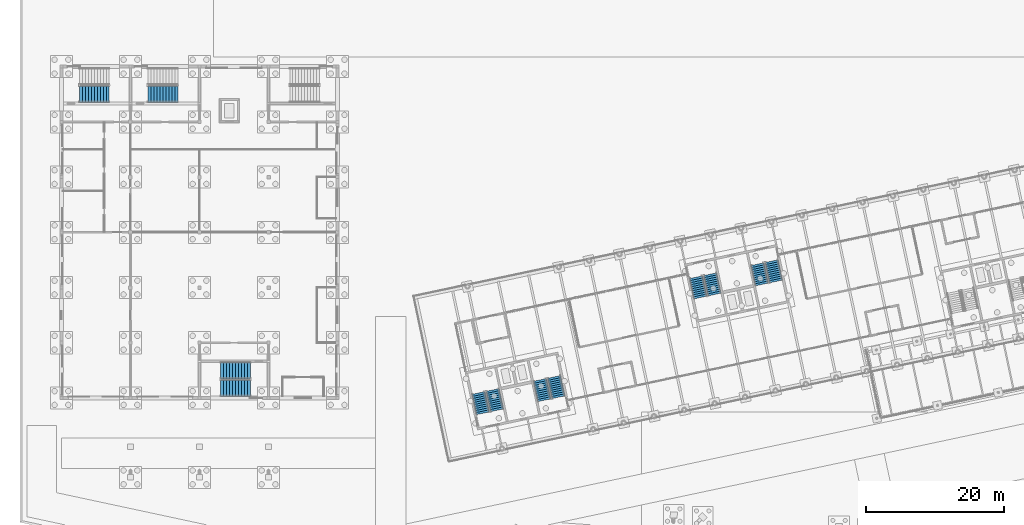
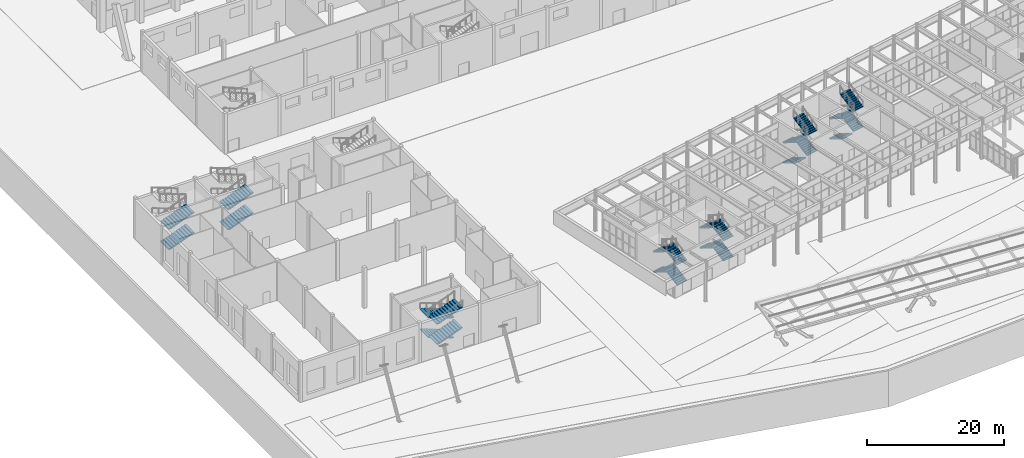
# One storey, part 190 of 239: 24 stair flights, 7 elements without a shape of their own.
"""IFC4 building model written with IfcOpenShell, lengths in metres."""

from ifc_helpers import new_model, si_unit, direction, frame, origin, place, context, subcontext, project, spatial, polyline, outline, extrude, material, type_object, element, aggregate, save


model = new_model("IFC4")

# Units and contexts
model_context = context("Model", 3, precision=1e-05, world=origin(), true_north=direction((0.0, 1.0)))
body_context = subcontext(model_context, "Body", "Model", "MODEL_VIEW")
ifc_project = project(units=[si_unit("LENGTHUNIT", "METRE"), si_unit("AREAUNIT", "SQUARE_METRE"), si_unit("VOLUMEUNIT", "CUBIC_METRE"), si_unit("PLANEANGLEUNIT", "RADIAN"), si_unit("MASSUNIT", "GRAM", prefix="KILO")], contexts=[model_context])

# Site, building, storey
site_placement = place(None, origin())
site = spatial("IfcSite", under=ifc_project, at=site_placement, CompositionType="ELEMENT")
building_placement = place(site_placement, origin())
building = spatial("IfcBuilding", under=site, at=building_placement, Name="Okhra Congress Centre", CompositionType="ELEMENT")
storey_placement = place(building_placement, origin())
storey = spatial("IfcBuildingStorey", under=building, at=storey_placement, Name="L00", CompositionType="ELEMENT", Elevation=0.0)

# Stair, stair flights
ifc_material = material(Name="Concrete C30/37", Category="concrete")
stair_type_1 = type_object("IfcStairType", Name="Escape stair 1900 wide, 44 risers of 163.6", PredefinedType="HALF_TURN_STAIR", material=ifc_material)
stair_1_placement = place(storey_placement, origin())
stair_1 = element("IfcStair", 1, at=stair_1_placement, inside=storey, type_object=stair_type_1, Name="L00 Escape stair 1A", PredefinedType="HALF_TURN_STAIR")
stair_flight_type_1 = type_object("IfcStairFlightType", Name="Stair flight 1900 wide", PredefinedType="STRAIGHT", material=ifc_material)
stair_flight_1_placement = place(storey_placement, frame((69.095458984375, 34.227294921875, 0.0), z_axis=(0.0, 0.0, 1.0), x_axis=(-0.207911690818, 0.978147600734, 0.0)))
stair_flight_1 = element("IfcStairFlight", 2, at=stair_flight_1_placement, type_object=stair_flight_type_1, Name="BS1A flight 1", NumberOfRisers=11, NumberOfTreads=10, PredefinedType="STRAIGHT", RiserHeight=0.163636364, TreadLength=0.3, context=body_context, shape_type="SweptSolid", body=[
    extrude(outline(polyline([(0.0, 0.0), (0.0, 0.16357421875), (0.300048828125, 0.16357421875), (0.300048828125, 0.327392578125), (0.60009765625, 0.327392578125), (0.60009765625, 0.490966796875), (0.89990234375, 0.490966796875), (0.89990234375, 0.654541015625), (1.199951171875, 0.654541015625), (1.199951171875, 0.818115234375), (1.5, 0.818115234375), (1.5, 0.98193359375), (1.800048828125, 0.98193359375), (1.800048828125, 1.1455078125), (2.10009765625, 1.1455078125), (2.10009765625, 1.30908203125), (2.39990234375, 1.30908203125), (2.39990234375, 1.47265625), (2.699951171875, 1.47265625), (2.699951171875, 1.636474609375), (3.0, 1.636474609375), (3.0, 1.800048828125), (3.0, 1.49951171875), (0.250732421875, 0.0), (0.0, 0.0)])), frame((0.0, 0.949951171875, 0.0), z_axis=(0.0, -1.0, 0.0), x_axis=(1.0, 0.0, 0.0)), (0.0, 0.0, 1.0), 1.89990234375),
])
stair_flight_2_placement = place(storey_placement, frame((66.41748046875, 36.72509765625, 1.800048828125), z_axis=(0.0, 0.0, 1.0), x_axis=(0.207911690818, -0.978147600734, 0.0)))
stair_flight_2 = element("IfcStairFlight", 3, at=stair_flight_2_placement, type_object=stair_flight_type_1, Name="BS1A flight 2", NumberOfRisers=11, NumberOfTreads=10, PredefinedType="STRAIGHT", RiserHeight=0.163636364, TreadLength=0.3, context=body_context, shape_type="SweptSolid", body=[
    extrude(outline(polyline([(0.0, 0.0), (0.0, 0.16357421875), (0.300048828125, 0.16357421875), (0.300048828125, 0.327392578125), (0.60009765625, 0.327392578125), (0.60009765625, 0.490966796875), (0.89990234375, 0.490966796875), (0.89990234375, 0.654541015625), (1.199951171875, 0.654541015625), (1.199951171875, 0.818115234375), (1.5, 0.818115234375), (1.5, 0.98193359375), (1.800048828125, 0.98193359375), (1.800048828125, 1.1455078125), (2.10009765625, 1.1455078125), (2.10009765625, 1.30908203125), (2.39990234375, 1.30908203125), (2.39990234375, 1.47265625), (2.699951171875, 1.47265625), (2.699951171875, 1.636474609375), (3.0, 1.636474609375), (3.0, 1.800048828125), (3.0, 1.49951171875), (0.250732421875, 0.0), (0.0, 0.0)])), frame((0.0, 0.949951171875, 0.0), z_axis=(0.0, -1.0, 0.0), x_axis=(1.0, 0.0, 0.0)), (0.0, 0.0, 1.0), 1.89990234375),
])
stair_flight_3_placement = place(storey_placement, frame((69.095458984375, 34.227294921875, 3.60009765625), z_axis=(0.0, 0.0, 1.0), x_axis=(-0.207911690818, 0.978147600734, 0.0)))
stair_flight_3 = element("IfcStairFlight", 4, at=stair_flight_3_placement, type_object=stair_flight_type_1, Name="BS1A flight 3", NumberOfRisers=11, NumberOfTreads=10, PredefinedType="STRAIGHT", RiserHeight=0.163636364, TreadLength=0.3, context=body_context, shape_type="SweptSolid", body=[
    extrude(outline(polyline([(0.0, 0.0), (0.0, 0.16357421875), (0.300048828125, 0.16357421875), (0.300048828125, 0.327392578125), (0.60009765625, 0.327392578125), (0.60009765625, 0.490966796875), (0.89990234375, 0.490966796875), (0.89990234375, 0.654541015625), (1.199951171875, 0.654541015625), (1.199951171875, 0.818115234375), (1.5, 0.818115234375), (1.5, 0.98193359375), (1.800048828125, 0.98193359375), (1.800048828125, 1.1455078125), (2.10009765625, 1.1455078125), (2.10009765625, 1.30908203125), (2.39990234375, 1.30908203125), (2.39990234375, 1.47265625), (2.699951171875, 1.47265625), (2.699951171875, 1.636474609375), (3.0, 1.636474609375), (3.0, 1.800048828125), (3.0, 1.49951171875), (0.250732421875, 0.0), (0.0, 0.0)])), frame((0.0, 0.949951171875, 0.0), z_axis=(0.0, -1.0, 0.0), x_axis=(1.0, 0.0, 0.0)), (0.0, 0.0, 1.0), 1.89990234375),
])
stair_flight_4_placement = place(storey_placement, frame((66.41748046875, 36.72509765625, 5.39990234375), z_axis=(0.0, 0.0, 1.0), x_axis=(0.207911690818, -0.978147600734, 0.0)))
stair_flight_4 = element("IfcStairFlight", 5, at=stair_flight_4_placement, type_object=stair_flight_type_1, Name="BS1A flight 4", NumberOfRisers=11, NumberOfTreads=10, PredefinedType="STRAIGHT", RiserHeight=0.163636364, TreadLength=0.3, context=body_context, shape_type="SweptSolid", body=[
    extrude(outline(polyline([(0.0, 0.0), (0.0, 0.16357421875), (0.300048828125, 0.16357421875), (0.300048828125, 0.327392578125), (0.60009765625, 0.327392578125), (0.60009765625, 0.490966796875), (0.89990234375, 0.490966796875), (0.89990234375, 0.654541015625), (1.199951171875, 0.654541015625), (1.199951171875, 0.818115234375), (1.5, 0.818115234375), (1.5, 0.98193359375), (1.800048828125, 0.98193359375), (1.800048828125, 1.1455078125), (2.10009765625, 1.1455078125), (2.10009765625, 1.30908203125), (2.39990234375, 1.30908203125), (2.39990234375, 1.47265625), (2.699951171875, 1.47265625), (2.699951171875, 1.636474609375), (3.0, 1.636474609375), (3.0, 1.800048828125), (3.0, 1.49951171875), (0.250732421875, 0.0), (0.0, 0.0)])), frame((0.0, 0.949951171875, 0.0), z_axis=(0.0, -1.0, 0.0), x_axis=(1.0, 0.0, 0.0)), (0.0, 0.0, 1.0), 1.89990234375),
])
aggregate(stair_1, [stair_flight_1, stair_flight_2, stair_flight_3, stair_flight_4])

stair_2_placement = place(storey_placement, origin())
stair_2 = element("IfcStair", 6, at=stair_2_placement, inside=storey, type_object=stair_type_1, Name="L00 Escape stair 1B", PredefinedType="HALF_TURN_STAIR")
stair_flight_5_placement = place(storey_placement, frame((77.99658203125, 36.119140625, 0.0), z_axis=(0.0, 0.0, 1.0), x_axis=(-0.207911690818, 0.978147600734, 0.0)))
stair_flight_5 = element("IfcStairFlight", 7, at=stair_flight_5_placement, type_object=stair_flight_type_1, Name="BS1B flight 1", NumberOfRisers=11, NumberOfTreads=10, PredefinedType="STRAIGHT", RiserHeight=0.163636364, TreadLength=0.3, context=body_context, shape_type="SweptSolid", body=[
    extrude(outline(polyline([(0.0, 0.0), (0.0, 0.16357421875), (0.300048828125, 0.16357421875), (0.300048828125, 0.327392578125), (0.60009765625, 0.327392578125), (0.60009765625, 0.490966796875), (0.89990234375, 0.490966796875), (0.89990234375, 0.654541015625), (1.199951171875, 0.654541015625), (1.199951171875, 0.818115234375), (1.5, 0.818115234375), (1.5, 0.98193359375), (1.800048828125, 0.98193359375), (1.800048828125, 1.1455078125), (2.10009765625, 1.1455078125), (2.10009765625, 1.30908203125), (2.39990234375, 1.30908203125), (2.39990234375, 1.47265625), (2.699951171875, 1.47265625), (2.699951171875, 1.636474609375), (3.0, 1.636474609375), (3.0, 1.800048828125), (3.0, 1.49951171875), (0.250732421875, 0.0), (0.0, 0.0)])), frame((0.0, 0.949951171875, 0.0), z_axis=(0.0, -1.0, 0.0), x_axis=(1.0, 0.0, 0.0)), (0.0, 0.0, 1.0), 1.89990234375),
])
stair_flight_6_placement = place(storey_placement, frame((75.318603515625, 38.616943359375, 1.800048828125), z_axis=(0.0, 0.0, 1.0), x_axis=(0.207911690818, -0.978147600734, 0.0)))
stair_flight_6 = element("IfcStairFlight", 8, at=stair_flight_6_placement, type_object=stair_flight_type_1, Name="BS1B flight 2", NumberOfRisers=11, NumberOfTreads=10, PredefinedType="STRAIGHT", RiserHeight=0.163636364, TreadLength=0.3, context=body_context, shape_type="SweptSolid", body=[
    extrude(outline(polyline([(0.0, 0.0), (0.0, 0.16357421875), (0.300048828125, 0.16357421875), (0.300048828125, 0.327392578125), (0.60009765625, 0.327392578125), (0.60009765625, 0.490966796875), (0.89990234375, 0.490966796875), (0.89990234375, 0.654541015625), (1.199951171875, 0.654541015625), (1.199951171875, 0.818115234375), (1.5, 0.818115234375), (1.5, 0.98193359375), (1.800048828125, 0.98193359375), (1.800048828125, 1.1455078125), (2.10009765625, 1.1455078125), (2.10009765625, 1.30908203125), (2.39990234375, 1.30908203125), (2.39990234375, 1.47265625), (2.699951171875, 1.47265625), (2.699951171875, 1.636474609375), (3.0, 1.636474609375), (3.0, 1.800048828125), (3.0, 1.49951171875), (0.250732421875, 0.0), (0.0, 0.0)])), frame((0.0, 0.949951171875, 0.0), z_axis=(0.0, -1.0, 0.0), x_axis=(1.0, 0.0, 0.0)), (0.0, 0.0, 1.0), 1.89990234375),
])
stair_flight_7_placement = place(storey_placement, frame((77.99658203125, 36.119140625, 3.60009765625), z_axis=(0.0, 0.0, 1.0), x_axis=(-0.207911690818, 0.978147600734, 0.0)))
stair_flight_7 = element("IfcStairFlight", 9, at=stair_flight_7_placement, type_object=stair_flight_type_1, Name="BS1B flight 3", NumberOfRisers=11, NumberOfTreads=10, PredefinedType="STRAIGHT", RiserHeight=0.163636364, TreadLength=0.3, context=body_context, shape_type="SweptSolid", body=[
    extrude(outline(polyline([(0.0, 0.0), (0.0, 0.16357421875), (0.300048828125, 0.16357421875), (0.300048828125, 0.327392578125), (0.60009765625, 0.327392578125), (0.60009765625, 0.490966796875), (0.89990234375, 0.490966796875), (0.89990234375, 0.654541015625), (1.199951171875, 0.654541015625), (1.199951171875, 0.818115234375), (1.5, 0.818115234375), (1.5, 0.98193359375), (1.800048828125, 0.98193359375), (1.800048828125, 1.1455078125), (2.10009765625, 1.1455078125), (2.10009765625, 1.30908203125), (2.39990234375, 1.30908203125), (2.39990234375, 1.47265625), (2.699951171875, 1.47265625), (2.699951171875, 1.636474609375), (3.0, 1.636474609375), (3.0, 1.800048828125), (3.0, 1.49951171875), (0.250732421875, 0.0), (0.0, 0.0)])), frame((0.0, 0.949951171875, 0.0), z_axis=(0.0, -1.0, 0.0), x_axis=(1.0, 0.0, 0.0)), (0.0, 0.0, 1.0), 1.89990234375),
])
stair_flight_8_placement = place(storey_placement, frame((75.318603515625, 38.616943359375, 5.39990234375), z_axis=(0.0, 0.0, 1.0), x_axis=(0.207911690818, -0.978147600734, 0.0)))
stair_flight_8 = element("IfcStairFlight", 10, at=stair_flight_8_placement, type_object=stair_flight_type_1, Name="BS1B flight 4", NumberOfRisers=11, NumberOfTreads=10, PredefinedType="STRAIGHT", RiserHeight=0.163636364, TreadLength=0.3, context=body_context, shape_type="SweptSolid", body=[
    extrude(outline(polyline([(0.0, 0.0), (0.0, 0.16357421875), (0.300048828125, 0.16357421875), (0.300048828125, 0.327392578125), (0.60009765625, 0.327392578125), (0.60009765625, 0.490966796875), (0.89990234375, 0.490966796875), (0.89990234375, 0.654541015625), (1.199951171875, 0.654541015625), (1.199951171875, 0.818115234375), (1.5, 0.818115234375), (1.5, 0.98193359375), (1.800048828125, 0.98193359375), (1.800048828125, 1.1455078125), (2.10009765625, 1.1455078125), (2.10009765625, 1.30908203125), (2.39990234375, 1.30908203125), (2.39990234375, 1.47265625), (2.699951171875, 1.47265625), (2.699951171875, 1.636474609375), (3.0, 1.636474609375), (3.0, 1.800048828125), (3.0, 1.49951171875), (0.250732421875, 0.0), (0.0, 0.0)])), frame((0.0, 0.949951171875, 0.0), z_axis=(0.0, -1.0, 0.0), x_axis=(1.0, 0.0, 0.0)), (0.0, 0.0, 1.0), 1.89990234375),
])
aggregate(stair_2, [stair_flight_5, stair_flight_6, stair_flight_7, stair_flight_8])

stair_3_placement = place(storey_placement, origin())
stair_3 = element("IfcStair", 11, at=stair_3_placement, inside=storey, type_object=stair_type_1, Name="L00 Escape stair 2A", PredefinedType="HALF_TURN_STAIR")
stair_flight_9_placement = place(storey_placement, frame((97.920166015625, 53.4912109375, 0.0), z_axis=(0.0, 0.0, 1.0), x_axis=(0.207911690818, -0.978147600734, 0.0)))
stair_flight_9 = element("IfcStairFlight", 12, at=stair_flight_9_placement, type_object=stair_flight_type_1, Name="BS2A flight 1", NumberOfRisers=11, NumberOfTreads=10, PredefinedType="STRAIGHT", RiserHeight=0.163636364, TreadLength=0.3, context=body_context, shape_type="SweptSolid", body=[
    extrude(outline(polyline([(0.0, 0.0), (0.0, 0.16357421875), (0.300048828125, 0.16357421875), (0.300048828125, 0.327392578125), (0.60009765625, 0.327392578125), (0.60009765625, 0.490966796875), (0.89990234375, 0.490966796875), (0.89990234375, 0.654541015625), (1.199951171875, 0.654541015625), (1.199951171875, 0.818115234375), (1.5, 0.818115234375), (1.5, 0.98193359375), (1.800048828125, 0.98193359375), (1.800048828125, 1.1455078125), (2.10009765625, 1.1455078125), (2.10009765625, 1.30908203125), (2.39990234375, 1.30908203125), (2.39990234375, 1.47265625), (2.699951171875, 1.47265625), (2.699951171875, 1.636474609375), (3.0, 1.636474609375), (3.0, 1.800048828125), (3.0, 1.49951171875), (0.250732421875, 0.0), (0.0, 0.0)])), frame((0.0, 0.949951171875, 0.0), z_axis=(0.0, -1.0, 0.0), x_axis=(1.0, 0.0, 0.0)), (0.0, 0.0, 1.0), 1.89990234375),
])
stair_flight_10_placement = place(storey_placement, frame((100.597900390625, 50.993408203125, 1.800048828125), z_axis=(0.0, 0.0, 1.0), x_axis=(-0.207911690818, 0.978147600734, 0.0)))
stair_flight_10 = element("IfcStairFlight", 13, at=stair_flight_10_placement, type_object=stair_flight_type_1, Name="BS2A flight 2", NumberOfRisers=11, NumberOfTreads=10, PredefinedType="STRAIGHT", RiserHeight=0.163636364, TreadLength=0.3, context=body_context, shape_type="SweptSolid", body=[
    extrude(outline(polyline([(0.0, 0.0), (0.0, 0.16357421875), (0.300048828125, 0.16357421875), (0.300048828125, 0.327392578125), (0.60009765625, 0.327392578125), (0.60009765625, 0.490966796875), (0.89990234375, 0.490966796875), (0.89990234375, 0.654541015625), (1.199951171875, 0.654541015625), (1.199951171875, 0.818115234375), (1.5, 0.818115234375), (1.5, 0.98193359375), (1.800048828125, 0.98193359375), (1.800048828125, 1.1455078125), (2.10009765625, 1.1455078125), (2.10009765625, 1.30908203125), (2.39990234375, 1.30908203125), (2.39990234375, 1.47265625), (2.699951171875, 1.47265625), (2.699951171875, 1.636474609375), (3.0, 1.636474609375), (3.0, 1.800048828125), (3.0, 1.49951171875), (0.250732421875, 0.0), (0.0, 0.0)])), frame((0.0, 0.949951171875, 0.0), z_axis=(0.0, -1.0, 0.0), x_axis=(1.0, 0.0, 0.0)), (0.0, 0.0, 1.0), 1.89990234375),
])
stair_flight_11_placement = place(storey_placement, frame((97.920166015625, 53.4912109375, 3.60009765625), z_axis=(0.0, 0.0, 1.0), x_axis=(0.207911690818, -0.978147600734, 0.0)))
stair_flight_11 = element("IfcStairFlight", 14, at=stair_flight_11_placement, type_object=stair_flight_type_1, Name="BS2A flight 3", NumberOfRisers=11, NumberOfTreads=10, PredefinedType="STRAIGHT", RiserHeight=0.163636364, TreadLength=0.3, context=body_context, shape_type="SweptSolid", body=[
    extrude(outline(polyline([(0.0, 0.0), (0.0, 0.16357421875), (0.300048828125, 0.16357421875), (0.300048828125, 0.327392578125), (0.60009765625, 0.327392578125), (0.60009765625, 0.490966796875), (0.89990234375, 0.490966796875), (0.89990234375, 0.654541015625), (1.199951171875, 0.654541015625), (1.199951171875, 0.818115234375), (1.5, 0.818115234375), (1.5, 0.98193359375), (1.800048828125, 0.98193359375), (1.800048828125, 1.1455078125), (2.10009765625, 1.1455078125), (2.10009765625, 1.30908203125), (2.39990234375, 1.30908203125), (2.39990234375, 1.47265625), (2.699951171875, 1.47265625), (2.699951171875, 1.636474609375), (3.0, 1.636474609375), (3.0, 1.800048828125), (3.0, 1.49951171875), (0.250732421875, 0.0), (0.0, 0.0)])), frame((0.0, 0.949951171875, 0.0), z_axis=(0.0, -1.0, 0.0), x_axis=(1.0, 0.0, 0.0)), (0.0, 0.0, 1.0), 1.89990234375),
])
stair_flight_12_placement = place(storey_placement, frame((100.597900390625, 50.993408203125, 5.39990234375), z_axis=(0.0, 0.0, 1.0), x_axis=(-0.207911690818, 0.978147600734, 0.0)))
stair_flight_12 = element("IfcStairFlight", 15, at=stair_flight_12_placement, type_object=stair_flight_type_1, Name="BS2A flight 4", NumberOfRisers=11, NumberOfTreads=10, PredefinedType="STRAIGHT", RiserHeight=0.163636364, TreadLength=0.3, context=body_context, shape_type="SweptSolid", body=[
    extrude(outline(polyline([(0.0, 0.0), (0.0, 0.16357421875), (0.300048828125, 0.16357421875), (0.300048828125, 0.327392578125), (0.60009765625, 0.327392578125), (0.60009765625, 0.490966796875), (0.89990234375, 0.490966796875), (0.89990234375, 0.654541015625), (1.199951171875, 0.654541015625), (1.199951171875, 0.818115234375), (1.5, 0.818115234375), (1.5, 0.98193359375), (1.800048828125, 0.98193359375), (1.800048828125, 1.1455078125), (2.10009765625, 1.1455078125), (2.10009765625, 1.30908203125), (2.39990234375, 1.30908203125), (2.39990234375, 1.47265625), (2.699951171875, 1.47265625), (2.699951171875, 1.636474609375), (3.0, 1.636474609375), (3.0, 1.800048828125), (3.0, 1.49951171875), (0.250732421875, 0.0), (0.0, 0.0)])), frame((0.0, 0.949951171875, 0.0), z_axis=(0.0, -1.0, 0.0), x_axis=(1.0, 0.0, 0.0)), (0.0, 0.0, 1.0), 1.89990234375),
])
aggregate(stair_3, [stair_flight_9, stair_flight_10, stair_flight_11, stair_flight_12])

stair_4_placement = place(storey_placement, origin())
stair_4 = element("IfcStair", 16, at=stair_4_placement, inside=storey, type_object=stair_type_1, Name="L00 Escape stair 2B", PredefinedType="HALF_TURN_STAIR")
stair_flight_13_placement = place(storey_placement, frame((106.8212890625, 55.383056640625, 0.0), z_axis=(0.0, 0.0, 1.0), x_axis=(0.207911690818, -0.978147600734, 0.0)))
stair_flight_13 = element("IfcStairFlight", 17, at=stair_flight_13_placement, type_object=stair_flight_type_1, Name="BS2B flight 1", NumberOfRisers=11, NumberOfTreads=10, PredefinedType="STRAIGHT", RiserHeight=0.163636364, TreadLength=0.3, context=body_context, shape_type="SweptSolid", body=[
    extrude(outline(polyline([(0.0, 0.0), (0.0, 0.16357421875), (0.300048828125, 0.16357421875), (0.300048828125, 0.327392578125), (0.60009765625, 0.327392578125), (0.60009765625, 0.490966796875), (0.89990234375, 0.490966796875), (0.89990234375, 0.654541015625), (1.199951171875, 0.654541015625), (1.199951171875, 0.818115234375), (1.5, 0.818115234375), (1.5, 0.98193359375), (1.800048828125, 0.98193359375), (1.800048828125, 1.1455078125), (2.10009765625, 1.1455078125), (2.10009765625, 1.30908203125), (2.39990234375, 1.30908203125), (2.39990234375, 1.47265625), (2.699951171875, 1.47265625), (2.699951171875, 1.636474609375), (3.0, 1.636474609375), (3.0, 1.800048828125), (3.0, 1.49951171875), (0.250732421875, 0.0), (0.0, 0.0)])), frame((0.0, 0.949951171875, 0.0), z_axis=(0.0, -1.0, 0.0), x_axis=(1.0, 0.0, 0.0)), (0.0, 0.0, 1.0), 1.89990234375),
])
stair_flight_14_placement = place(storey_placement, frame((109.4990234375, 52.88525390625, 1.800048828125), z_axis=(0.0, 0.0, 1.0), x_axis=(-0.207911690818, 0.978147600734, 0.0)))
stair_flight_14 = element("IfcStairFlight", 18, at=stair_flight_14_placement, type_object=stair_flight_type_1, Name="BS2B flight 2", NumberOfRisers=11, NumberOfTreads=10, PredefinedType="STRAIGHT", RiserHeight=0.163636364, TreadLength=0.3, context=body_context, shape_type="SweptSolid", body=[
    extrude(outline(polyline([(0.0, 0.0), (0.0, 0.16357421875), (0.300048828125, 0.16357421875), (0.300048828125, 0.327392578125), (0.60009765625, 0.327392578125), (0.60009765625, 0.490966796875), (0.89990234375, 0.490966796875), (0.89990234375, 0.654541015625), (1.199951171875, 0.654541015625), (1.199951171875, 0.818115234375), (1.5, 0.818115234375), (1.5, 0.98193359375), (1.800048828125, 0.98193359375), (1.800048828125, 1.1455078125), (2.10009765625, 1.1455078125), (2.10009765625, 1.30908203125), (2.39990234375, 1.30908203125), (2.39990234375, 1.47265625), (2.699951171875, 1.47265625), (2.699951171875, 1.636474609375), (3.0, 1.636474609375), (3.0, 1.800048828125), (3.0, 1.49951171875), (0.250732421875, 0.0), (0.0, 0.0)])), frame((0.0, 0.949951171875, 0.0), z_axis=(0.0, -1.0, 0.0), x_axis=(1.0, 0.0, 0.0)), (0.0, 0.0, 1.0), 1.89990234375),
])
stair_flight_15_placement = place(storey_placement, frame((106.8212890625, 55.383056640625, 3.60009765625), z_axis=(0.0, 0.0, 1.0), x_axis=(0.207911690818, -0.978147600734, 0.0)))
stair_flight_15 = element("IfcStairFlight", 19, at=stair_flight_15_placement, type_object=stair_flight_type_1, Name="BS2B flight 3", NumberOfRisers=11, NumberOfTreads=10, PredefinedType="STRAIGHT", RiserHeight=0.163636364, TreadLength=0.3, context=body_context, shape_type="SweptSolid", body=[
    extrude(outline(polyline([(0.0, 0.0), (0.0, 0.16357421875), (0.300048828125, 0.16357421875), (0.300048828125, 0.327392578125), (0.60009765625, 0.327392578125), (0.60009765625, 0.490966796875), (0.89990234375, 0.490966796875), (0.89990234375, 0.654541015625), (1.199951171875, 0.654541015625), (1.199951171875, 0.818115234375), (1.5, 0.818115234375), (1.5, 0.98193359375), (1.800048828125, 0.98193359375), (1.800048828125, 1.1455078125), (2.10009765625, 1.1455078125), (2.10009765625, 1.30908203125), (2.39990234375, 1.30908203125), (2.39990234375, 1.47265625), (2.699951171875, 1.47265625), (2.699951171875, 1.636474609375), (3.0, 1.636474609375), (3.0, 1.800048828125), (3.0, 1.49951171875), (0.250732421875, 0.0), (0.0, 0.0)])), frame((0.0, 0.949951171875, 0.0), z_axis=(0.0, -1.0, 0.0), x_axis=(1.0, 0.0, 0.0)), (0.0, 0.0, 1.0), 1.89990234375),
])
stair_flight_16_placement = place(storey_placement, frame((109.4990234375, 52.88525390625, 5.39990234375), z_axis=(0.0, 0.0, 1.0), x_axis=(-0.207911690818, 0.978147600734, 0.0)))
stair_flight_16 = element("IfcStairFlight", 20, at=stair_flight_16_placement, type_object=stair_flight_type_1, Name="BS2B flight 4", NumberOfRisers=11, NumberOfTreads=10, PredefinedType="STRAIGHT", RiserHeight=0.163636364, TreadLength=0.3, context=body_context, shape_type="SweptSolid", body=[
    extrude(outline(polyline([(0.0, 0.0), (0.0, 0.16357421875), (0.300048828125, 0.16357421875), (0.300048828125, 0.327392578125), (0.60009765625, 0.327392578125), (0.60009765625, 0.490966796875), (0.89990234375, 0.490966796875), (0.89990234375, 0.654541015625), (1.199951171875, 0.654541015625), (1.199951171875, 0.818115234375), (1.5, 0.818115234375), (1.5, 0.98193359375), (1.800048828125, 0.98193359375), (1.800048828125, 1.1455078125), (2.10009765625, 1.1455078125), (2.10009765625, 1.30908203125), (2.39990234375, 1.30908203125), (2.39990234375, 1.47265625), (2.699951171875, 1.47265625), (2.699951171875, 1.636474609375), (3.0, 1.636474609375), (3.0, 1.800048828125), (3.0, 1.49951171875), (0.250732421875, 0.0), (0.0, 0.0)])), frame((0.0, 0.949951171875, 0.0), z_axis=(0.0, -1.0, 0.0), x_axis=(1.0, 0.0, 0.0)), (0.0, 0.0, 1.0), 1.89990234375),
])
aggregate(stair_4, [stair_flight_13, stair_flight_14, stair_flight_15, stair_flight_16])

stair_type_2 = type_object("IfcStairType", Name="Escape stair 2400 wide, 44 risers of 163.6", PredefinedType="HALF_TURN_STAIR", material=ifc_material)
stair_5_placement = place(storey_placement, origin())
stair_5 = element("IfcStair", 21, at=stair_5_placement, inside=storey, type_object=stair_type_2, Name="L00 Stair R1", PredefinedType="HALF_TURN_STAIR")
stair_flight_type_2 = type_object("IfcStairFlightType", Name="Stair flight 2400 wide", PredefinedType="STRAIGHT", material=ifc_material)
stair_flight_17_placement = place(storey_placement, frame((8.625, 80.02490234375, 0.0), z_axis=(0.0, 0.0, 1.0), x_axis=(1.0, 0.0, 0.0)))
stair_flight_17 = element("IfcStairFlight", 22, at=stair_flight_17_placement, type_object=stair_flight_type_2, Name="R1 flight 1", NumberOfRisers=11, NumberOfTreads=10, PredefinedType="STRAIGHT", RiserHeight=0.163636364, TreadLength=0.43, context=body_context, shape_type="SweptSolid", body=[
    extrude(outline(polyline([(0.0, 0.0), (0.0, 0.16357421875), (0.429931640625, 0.16357421875), (0.429931640625, 0.327392578125), (0.860107421875, 0.327392578125), (0.860107421875, 0.490966796875), (1.2900390625, 0.490966796875), (1.2900390625, 0.654541015625), (1.719970703125, 0.654541015625), (1.719970703125, 0.818115234375), (2.14990234375, 0.818115234375), (2.14990234375, 0.98193359375), (2.580078125, 0.98193359375), (2.580078125, 1.1455078125), (3.010009765625, 1.1455078125), (3.010009765625, 1.30908203125), (3.43994140625, 1.30908203125), (3.43994140625, 1.47265625), (3.8701171875, 1.47265625), (3.8701171875, 1.636474609375), (4.300048828125, 1.636474609375), (4.300048828125, 1.800048828125), (4.300048828125, 1.47607421875), (0.42138671875, 0.0), (0.0, 0.0)])), frame((0.0, 1.199951171875, 0.0), z_axis=(0.0, -1.0, 0.0), x_axis=(1.0, 0.0, 0.0)), (0.0, 0.0, 1.0), 2.39990234375),
])
stair_flight_18_placement = place(storey_placement, frame((8.625, 80.02490234375, 3.60009765625), z_axis=(0.0, 0.0, 1.0), x_axis=(1.0, 0.0, 0.0)))
stair_flight_18 = element("IfcStairFlight", 23, at=stair_flight_18_placement, type_object=stair_flight_type_2, Name="R1 flight 3", NumberOfRisers=11, NumberOfTreads=10, PredefinedType="STRAIGHT", RiserHeight=0.163636364, TreadLength=0.43, context=body_context, shape_type="SweptSolid", body=[
    extrude(outline(polyline([(0.0, 0.0), (0.0, 0.16357421875), (0.429931640625, 0.16357421875), (0.429931640625, 0.327392578125), (0.860107421875, 0.327392578125), (0.860107421875, 0.490966796875), (1.2900390625, 0.490966796875), (1.2900390625, 0.654541015625), (1.719970703125, 0.654541015625), (1.719970703125, 0.818115234375), (2.14990234375, 0.818115234375), (2.14990234375, 0.98193359375), (2.580078125, 0.98193359375), (2.580078125, 1.1455078125), (3.010009765625, 1.1455078125), (3.010009765625, 1.30908203125), (3.43994140625, 1.30908203125), (3.43994140625, 1.47265625), (3.8701171875, 1.47265625), (3.8701171875, 1.636474609375), (4.300048828125, 1.636474609375), (4.300048828125, 1.800048828125), (4.300048828125, 1.47607421875), (0.42138671875, 0.0), (0.0, 0.0)])), frame((0.0, 1.199951171875, 0.0), z_axis=(0.0, -1.0, 0.0), x_axis=(1.0, 0.0, 0.0)), (0.0, 0.0, 1.0), 2.39990234375),
])
aggregate(stair_5, [stair_flight_17, stair_flight_18])

stair_6_placement = place(storey_placement, origin())
stair_6 = element("IfcStair", 24, at=stair_6_placement, inside=storey, type_object=stair_type_2, Name="L00 Stair R3", PredefinedType="HALF_TURN_STAIR")
stair_flight_19_placement = place(storey_placement, frame((18.550048828125, 80.02490234375, 0.0), z_axis=(0.0, 0.0, 1.0), x_axis=(1.0, 0.0, 0.0)))
stair_flight_19 = element("IfcStairFlight", 25, at=stair_flight_19_placement, type_object=stair_flight_type_2, Name="R3 flight 1", NumberOfRisers=11, NumberOfTreads=10, PredefinedType="STRAIGHT", RiserHeight=0.163636364, TreadLength=0.43, context=body_context, shape_type="SweptSolid", body=[
    extrude(outline(polyline([(0.0, 0.0), (0.0, 0.16357421875), (0.429931640625, 0.16357421875), (0.429931640625, 0.327392578125), (0.860107421875, 0.327392578125), (0.860107421875, 0.490966796875), (1.2900390625, 0.490966796875), (1.2900390625, 0.654541015625), (1.719970703125, 0.654541015625), (1.719970703125, 0.818115234375), (2.14990234375, 0.818115234375), (2.14990234375, 0.98193359375), (2.580078125, 0.98193359375), (2.580078125, 1.1455078125), (3.010009765625, 1.1455078125), (3.010009765625, 1.30908203125), (3.43994140625, 1.30908203125), (3.43994140625, 1.47265625), (3.8701171875, 1.47265625), (3.8701171875, 1.636474609375), (4.300048828125, 1.636474609375), (4.300048828125, 1.800048828125), (4.300048828125, 1.47607421875), (0.42138671875, 0.0), (0.0, 0.0)])), frame((0.0, 1.199951171875, 0.0), z_axis=(0.0, -1.0, 0.0), x_axis=(1.0, 0.0, 0.0)), (0.0, 0.0, 1.0), 2.39990234375),
])
stair_flight_20_placement = place(storey_placement, frame((18.550048828125, 80.02490234375, 3.60009765625), z_axis=(0.0, 0.0, 1.0), x_axis=(1.0, 0.0, 0.0)))
stair_flight_20 = element("IfcStairFlight", 26, at=stair_flight_20_placement, type_object=stair_flight_type_2, Name="R3 flight 3", NumberOfRisers=11, NumberOfTreads=10, PredefinedType="STRAIGHT", RiserHeight=0.163636364, TreadLength=0.43, context=body_context, shape_type="SweptSolid", body=[
    extrude(outline(polyline([(0.0, 0.0), (0.0, 0.16357421875), (0.429931640625, 0.16357421875), (0.429931640625, 0.327392578125), (0.860107421875, 0.327392578125), (0.860107421875, 0.490966796875), (1.2900390625, 0.490966796875), (1.2900390625, 0.654541015625), (1.719970703125, 0.654541015625), (1.719970703125, 0.818115234375), (2.14990234375, 0.818115234375), (2.14990234375, 0.98193359375), (2.580078125, 0.98193359375), (2.580078125, 1.1455078125), (3.010009765625, 1.1455078125), (3.010009765625, 1.30908203125), (3.43994140625, 1.30908203125), (3.43994140625, 1.47265625), (3.8701171875, 1.47265625), (3.8701171875, 1.636474609375), (4.300048828125, 1.636474609375), (4.300048828125, 1.800048828125), (4.300048828125, 1.47607421875), (0.42138671875, 0.0), (0.0, 0.0)])), frame((0.0, 1.199951171875, 0.0), z_axis=(0.0, -1.0, 0.0), x_axis=(1.0, 0.0, 0.0)), (0.0, 0.0, 1.0), 2.39990234375),
])
aggregate(stair_6, [stair_flight_19, stair_flight_20])

stair_7_placement = place(storey_placement, origin())
stair_7 = element("IfcStair", 27, at=stair_7_placement, inside=storey, type_object=stair_type_2, Name="L00 Stair R4", PredefinedType="HALF_TURN_STAIR")
stair_flight_21_placement = place(storey_placement, frame((33.375, 39.97509765625, 0.0), z_axis=(0.0, 0.0, 1.0), x_axis=(-1.0, 0.0, 0.0)))
stair_flight_21 = element("IfcStairFlight", 28, at=stair_flight_21_placement, type_object=stair_flight_type_2, Name="R4 flight 1", NumberOfRisers=11, NumberOfTreads=10, PredefinedType="STRAIGHT", RiserHeight=0.163636364, TreadLength=0.43, context=body_context, shape_type="SweptSolid", body=[
    extrude(outline(polyline([(0.0, 0.0), (0.0, 0.16357421875), (0.429931640625, 0.16357421875), (0.429931640625, 0.327392578125), (0.860107421875, 0.327392578125), (0.860107421875, 0.490966796875), (1.2900390625, 0.490966796875), (1.2900390625, 0.654541015625), (1.719970703125, 0.654541015625), (1.719970703125, 0.818115234375), (2.14990234375, 0.818115234375), (2.14990234375, 0.98193359375), (2.580078125, 0.98193359375), (2.580078125, 1.1455078125), (3.010009765625, 1.1455078125), (3.010009765625, 1.30908203125), (3.43994140625, 1.30908203125), (3.43994140625, 1.47265625), (3.8701171875, 1.47265625), (3.8701171875, 1.636474609375), (4.300048828125, 1.636474609375), (4.300048828125, 1.800048828125), (4.300048828125, 1.47607421875), (0.42138671875, 0.0), (0.0, 0.0)])), frame((0.0, 1.199951171875, 0.0), z_axis=(0.0, -1.0, 0.0), x_axis=(1.0, 0.0, 0.0)), (0.0, 0.0, 1.0), 2.39990234375),
])
stair_flight_22_placement = place(storey_placement, frame((29.074951171875, 37.425048828125, 1.800048828125), z_axis=(0.0, 0.0, 1.0), x_axis=(1.0, 0.0, 0.0)))
stair_flight_22 = element("IfcStairFlight", 29, at=stair_flight_22_placement, type_object=stair_flight_type_2, Name="R4 flight 2", NumberOfRisers=11, NumberOfTreads=10, PredefinedType="STRAIGHT", RiserHeight=0.163636364, TreadLength=0.43, context=body_context, shape_type="SweptSolid", body=[
    extrude(outline(polyline([(0.0, 0.0), (0.0, 0.16357421875), (0.429931640625, 0.16357421875), (0.429931640625, 0.327392578125), (0.860107421875, 0.327392578125), (0.860107421875, 0.490966796875), (1.2900390625, 0.490966796875), (1.2900390625, 0.654541015625), (1.719970703125, 0.654541015625), (1.719970703125, 0.818115234375), (2.14990234375, 0.818115234375), (2.14990234375, 0.98193359375), (2.580078125, 0.98193359375), (2.580078125, 1.1455078125), (3.010009765625, 1.1455078125), (3.010009765625, 1.30908203125), (3.43994140625, 1.30908203125), (3.43994140625, 1.47265625), (3.8701171875, 1.47265625), (3.8701171875, 1.636474609375), (4.300048828125, 1.636474609375), (4.300048828125, 1.800048828125), (4.300048828125, 1.47607421875), (0.42138671875, 0.0), (0.0, 0.0)])), frame((0.0, 1.199951171875, 0.0), z_axis=(0.0, -1.0, 0.0), x_axis=(1.0, 0.0, 0.0)), (0.0, 0.0, 1.0), 2.39990234375),
])
stair_flight_23_placement = place(storey_placement, frame((33.375, 39.97509765625, 3.60009765625), z_axis=(0.0, 0.0, 1.0), x_axis=(-1.0, 0.0, 0.0)))
stair_flight_23 = element("IfcStairFlight", 30, at=stair_flight_23_placement, type_object=stair_flight_type_2, Name="R4 flight 3", NumberOfRisers=11, NumberOfTreads=10, PredefinedType="STRAIGHT", RiserHeight=0.163636364, TreadLength=0.43, context=body_context, shape_type="SweptSolid", body=[
    extrude(outline(polyline([(0.0, 0.0), (0.0, 0.16357421875), (0.429931640625, 0.16357421875), (0.429931640625, 0.327392578125), (0.860107421875, 0.327392578125), (0.860107421875, 0.490966796875), (1.2900390625, 0.490966796875), (1.2900390625, 0.654541015625), (1.719970703125, 0.654541015625), (1.719970703125, 0.818115234375), (2.14990234375, 0.818115234375), (2.14990234375, 0.98193359375), (2.580078125, 0.98193359375), (2.580078125, 1.1455078125), (3.010009765625, 1.1455078125), (3.010009765625, 1.30908203125), (3.43994140625, 1.30908203125), (3.43994140625, 1.47265625), (3.8701171875, 1.47265625), (3.8701171875, 1.636474609375), (4.300048828125, 1.636474609375), (4.300048828125, 1.800048828125), (4.300048828125, 1.47607421875), (0.42138671875, 0.0), (0.0, 0.0)])), frame((0.0, 1.199951171875, 0.0), z_axis=(0.0, -1.0, 0.0), x_axis=(1.0, 0.0, 0.0)), (0.0, 0.0, 1.0), 2.39990234375),
])
stair_flight_24_placement = place(storey_placement, frame((29.074951171875, 37.425048828125, 5.39990234375), z_axis=(0.0, 0.0, 1.0), x_axis=(1.0, 0.0, 0.0)))
stair_flight_24 = element("IfcStairFlight", 31, at=stair_flight_24_placement, type_object=stair_flight_type_2, Name="R4 flight 4", NumberOfRisers=11, NumberOfTreads=10, PredefinedType="STRAIGHT", RiserHeight=0.163636364, TreadLength=0.43, context=body_context, shape_type="SweptSolid", body=[
    extrude(outline(polyline([(0.0, 0.0), (0.0, 0.16357421875), (0.429931640625, 0.16357421875), (0.429931640625, 0.327392578125), (0.860107421875, 0.327392578125), (0.860107421875, 0.490966796875), (1.2900390625, 0.490966796875), (1.2900390625, 0.654541015625), (1.719970703125, 0.654541015625), (1.719970703125, 0.818115234375), (2.14990234375, 0.818115234375), (2.14990234375, 0.98193359375), (2.580078125, 0.98193359375), (2.580078125, 1.1455078125), (3.010009765625, 1.1455078125), (3.010009765625, 1.30908203125), (3.43994140625, 1.30908203125), (3.43994140625, 1.47265625), (3.8701171875, 1.47265625), (3.8701171875, 1.636474609375), (4.300048828125, 1.636474609375), (4.300048828125, 1.800048828125), (4.300048828125, 1.47607421875), (0.42138671875, 0.0), (0.0, 0.0)])), frame((0.0, 1.199951171875, 0.0), z_axis=(0.0, -1.0, 0.0), x_axis=(1.0, 0.0, 0.0)), (0.0, 0.0, 1.0), 2.39990234375),
])
aggregate(stair_7, [stair_flight_21, stair_flight_22, stair_flight_23, stair_flight_24])

save(model, "model.ifc")
